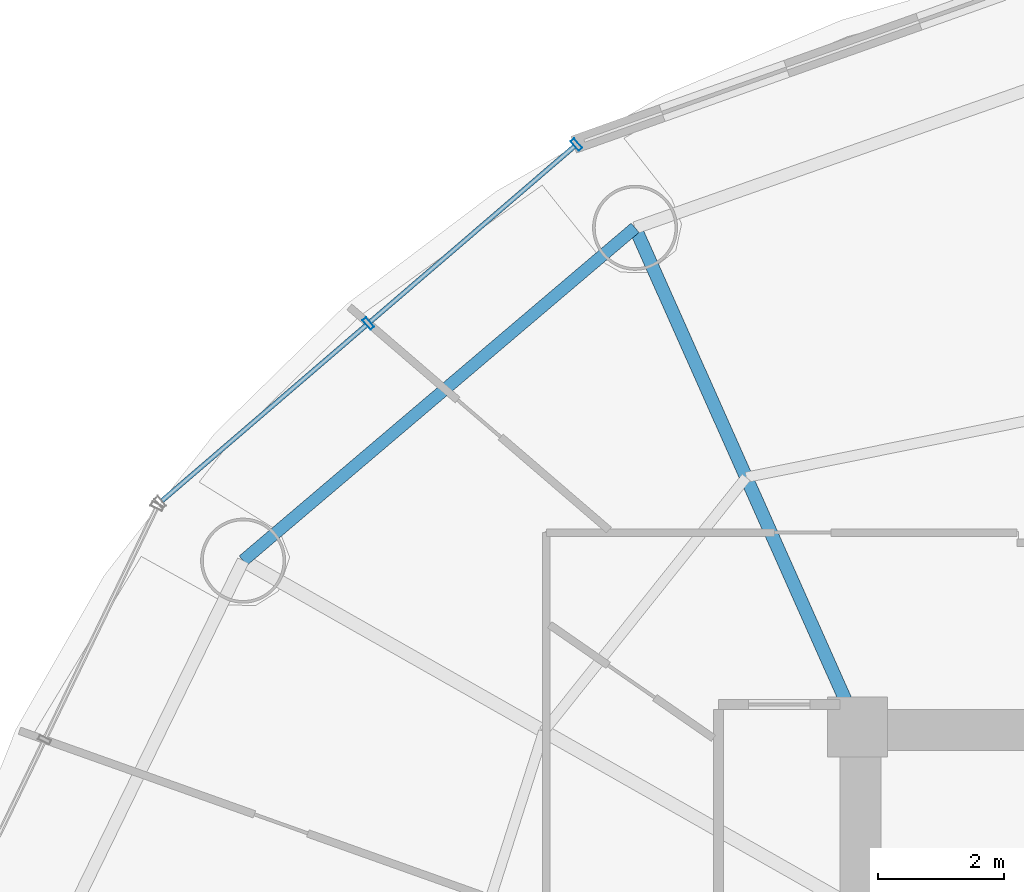
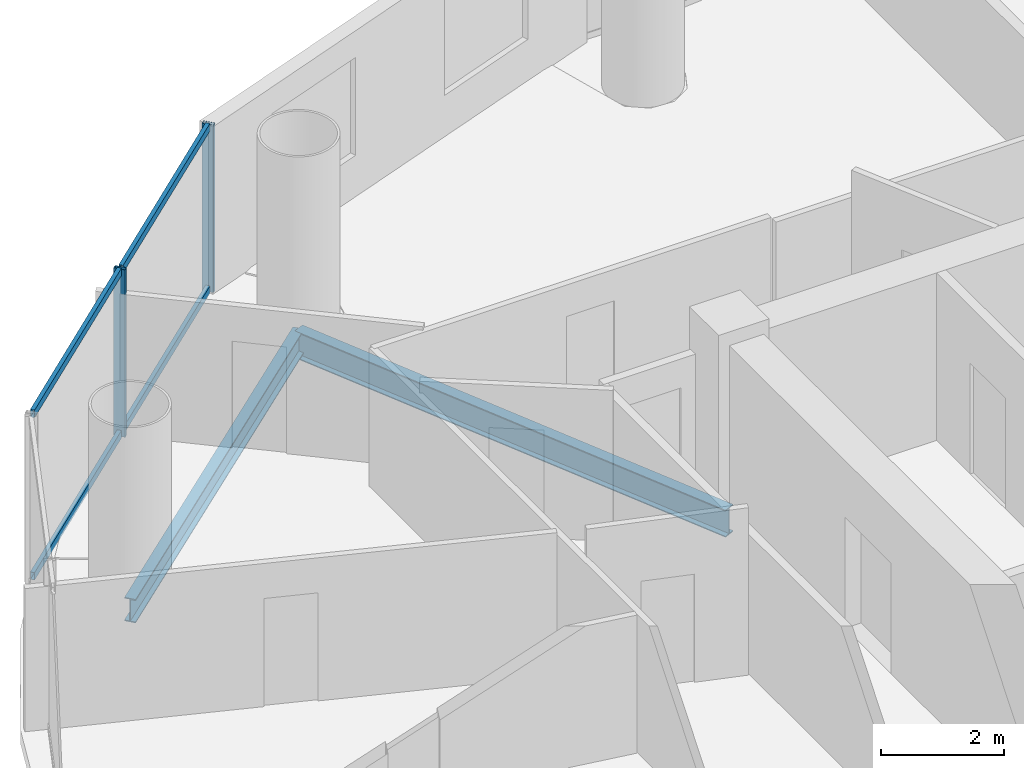
# One storey, part 14 of 26: 6 members, 2 beams, 1 element without a shape of its own.
"""IFC4 building model written with IfcOpenShell, lengths in metres."""

import ifcopenshell
import ifcopenshell.guid

model = None  # the IFC model being written
_history = None  # IfcOwnerHistory: only IFC2X3 demands one
_inside = {}  # id of a spatial element -> (the spatial element, [elements in it])
_under = {}  # id of a project, library or spatial element -> (it, [spatial elements below it])
_declared = {}  # id of a project -> (the project, [libraries it declares])
_typed = {}  # id of a type object -> (the type object, [elements of that type])
_made_of = {}  # id of a material, layer set ... -> (it, [elements and type objects made of it])


def new_model(schema):
    """Start an empty IFC model of exactly this schema.

    Asked for "IFC4X3", IfcOpenShell would pick the latest addendum, in which some entities
    have other attributes; the version numbers below select the first issue.
    IFC2X3 requires an IfcOwnerHistory on every rooted entity: one is made here for all.
    """
    global model, _history
    if schema == "IFC4X3":
        model = ifcopenshell.file(schema_version=(4, 3, 0, 0))
    else:
        model = ifcopenshell.file(schema=schema)
    _inside.clear()
    _under.clear()
    _declared.clear()
    _typed.clear()
    _made_of.clear()
    _history = None
    if model.schema == "IFC2X3":
        org = make("IfcOrganization", Name="unknown")
        user = make(
            "IfcPersonAndOrganization",
            ThePerson=make("IfcPerson", FamilyName="unknown"),
            TheOrganization=org,
        )
        app = make(
            "IfcApplication",
            ApplicationDeveloper=org,
            Version="unknown",
            ApplicationFullName="unknown",
            ApplicationIdentifier="unknown",
        )
        _history = make(
            "IfcOwnerHistory",
            OwningUser=user,
            OwningApplication=app,
            ChangeAction="ADDED",
            CreationDate=0,
        )
    return model


def make(cls, **values):
    """One entity of the class cls with the attributes given. An attribute that is None is left unset."""
    return model.create_entity(
        cls, **{name: value for name, value in values.items() if value is not None}
    )


def rooted(cls, **values):
    """An entity with a GlobalId (a new one), such as an element, a storey or a relation."""
    return make(cls, GlobalId=ifcopenshell.guid.new(), OwnerHistory=_history, **values)


def si_unit(unit_type, name, prefix=None):
    """IfcSIUnit, for example si_unit("LENGTHUNIT", "METRE", prefix="MILLI")."""
    return make("IfcSIUnit", UnitType=unit_type, Prefix=prefix, Name=name)


def assignment(units):
    """IfcUnitAssignment: the units of a project."""
    return None if units is None else make("IfcUnitAssignment", Units=units)


def point(xyz):
    """IfcCartesianPoint."""
    return None if xyz is None else make("IfcCartesianPoint", Coordinates=xyz)


def direction(xyz):
    """IfcDirection."""
    return None if xyz is None else make("IfcDirection", DirectionRatios=xyz)


def frame(location, z_axis=None, x_axis=None):
    """IfcAxis2Placement3D, a coordinate frame: its origin and axes. An axis left out is left unset."""
    return make(
        "IfcAxis2Placement3D",
        Location=point(location),
        Axis=direction(z_axis),
        RefDirection=direction(x_axis),
    )


def frame_2d(location, x_axis=None):
    """IfcAxis2Placement2D, a coordinate frame in the plane: its origin and x axis."""
    return make(
        "IfcAxis2Placement2D", Location=point(location), RefDirection=direction(x_axis)
    )


def origin():
    """The frame at (0, 0, 0) with its axes left unset."""
    return frame((0.0, 0.0, 0.0))


def origin_2d():
    """The frame at (0, 0) in the plane with its x axis left unset."""
    return frame_2d((0.0, 0.0))


def place(relative_to, where):
    """IfcLocalPlacement: puts the frame where relative to a parent placement (None: the world)."""
    return make(
        "IfcLocalPlacement", PlacementRelTo=relative_to, RelativePlacement=where
    )


def context(
    kind, dimensions, precision=None, world=None, true_north=None, identifier=None
):
    """IfcGeometricRepresentationContext, for example the 3D "Model" context."""
    return make(
        "IfcGeometricRepresentationContext",
        ContextIdentifier=identifier,
        ContextType=kind,
        CoordinateSpaceDimension=dimensions,
        Precision=precision,
        WorldCoordinateSystem=world,
        TrueNorth=true_north,
    )


def subcontext(parent, identifier, kind, view, scale=None):
    """IfcGeometricRepresentationSubContext, for example "Body" below "Model"."""
    return make(
        "IfcGeometricRepresentationSubContext",
        ContextIdentifier=identifier,
        ContextType=kind,
        ParentContext=parent,
        TargetScale=scale,
        TargetView=view,
    )


def project(units=None, contexts=None):
    """IfcProject with its units and contexts."""
    return rooted(
        "IfcProject",
        Name="project",
        RepresentationContexts=contexts,
        UnitsInContext=assignment(units),
    )


def spatial(cls, under=None, at=None, **own):
    """A site, building, storey or space (cls), placed at a placement, below another one or the project."""
    s = rooted(cls, ObjectPlacement=at, **own)
    if under is not None:
        _under.setdefault(under.id(), (under, []))[1].append(s)
    return s


def profile(cls, at=None, kind="AREA", **sizes):
    """A parametric profile (cls). Its sizes go by their IFC names, for example OverallWidth=200.0."""
    return make(cls, ProfileType=kind, Position=at, **sizes)


def hollow_rectangle(**sizes):
    """IfcRectangleHollowProfileDef."""
    return profile("IfcRectangleHollowProfileDef", **sizes)


def i_section(**sizes):
    """IfcIShapeProfileDef."""
    return profile("IfcIShapeProfileDef", **sizes)


def extrude(swept, where, along, depth):
    """IfcExtrudedAreaSolid: the profile swept, set in the frame where, extruded along a direction by depth."""
    return make(
        "IfcExtrudedAreaSolid",
        SweptArea=swept,
        Position=where,
        ExtrudedDirection=direction(along),
        Depth=depth,
    )


def shape(context_of_items, identifier, shape_type, items):
    """IfcShapeRepresentation: the items that make up one representation, for example the "Body"."""
    return make(
        "IfcShapeRepresentation",
        ContextOfItems=context_of_items,
        RepresentationIdentifier=identifier,
        RepresentationType=shape_type,
        Items=items,
    )


def source(mapping_origin, context_of_items, identifier, shape_type, items):
    """IfcRepresentationMap: a shape defined once, which mapped items show again and again."""
    return make(
        "IfcRepresentationMap",
        MappingOrigin=mapping_origin,
        MappedRepresentation=shape(context_of_items, identifier, shape_type, items),
    )


def transform(
    local_origin,
    x_axis=None,
    y_axis=None,
    z_axis=None,
    scale=None,
    scale2=None,
    scale3=None,
    uniform=True,
):
    """IfcCartesianTransformationOperator3D, or its non-uniform kind. x_axis, y_axis, z_axis: its Axis1, 2, 3."""
    if uniform:
        return make(
            "IfcCartesianTransformationOperator3D",
            Axis1=direction(x_axis),
            Axis2=direction(y_axis),
            LocalOrigin=point(local_origin),
            Scale=scale,
            Axis3=direction(z_axis),
        )
    return make(
        "IfcCartesianTransformationOperator3DnonUniform",
        Axis1=direction(x_axis),
        Axis2=direction(y_axis),
        LocalOrigin=point(local_origin),
        Scale=scale,
        Axis3=direction(z_axis),
        Scale2=scale2,
        Scale3=scale3,
    )


def mapped(mapping_source, mapping_target):
    """IfcMappedItem: shows the shape of a source again, moved by a transform."""
    return make(
        "IfcMappedItem", MappingSource=mapping_source, MappingTarget=mapping_target
    )


def material(Name=None, Category=None):
    """IfcMaterial."""
    return make("IfcMaterial", Name=Name, Category=Category)


def material_profile(
    of_material, cross_section, Name=None, Category=None, Priority=None
):
    """IfcMaterialProfile: a cross section and its material."""
    return make(
        "IfcMaterialProfile",
        Name=Name,
        Material=of_material,
        Profile=cross_section,
        Priority=Priority,
        Category=Category,
    )


def profile_set(profiles, Name=None, composite=None):
    """IfcMaterialProfileSet."""
    return make(
        "IfcMaterialProfileSet",
        Name=Name,
        MaterialProfiles=profiles,
        CompositeProfile=composite,
    )


def made_of(thing, what):
    """Note that an element or type object is made of a material, layer set ...; save() writes the relation."""
    if what is not None:
        _made_of.setdefault(what.id(), (what, []))[1].append(thing)
    return thing


def type_object(cls, material=None, **own):
    """A type object (cls), such as IfcWallType, which elements share."""
    return made_of(rooted(cls, **own), material)


def element(
    cls,
    number,
    at=None,
    inside=None,
    cuts=None,
    type_object=None,
    material=None,
    context=None,
    identifier="Body",
    shape_type=None,
    held_by="IfcProductDefinitionShape",
    body=None,
    shapes=None,
    **own,
):
    """One element of the class cls, such as IfcWall. Its Tag is "e" and its number.

    at: its placement. inside: the storey or other place that contains it. cuts: it is an
    opening in that element (IfcRelVoidsElement). A single representation is given by context,
    identifier, shape_type and body (its items); several are given by shapes. held_by: the class
    of the entity that holds the representations. save() writes the other relations.
    """
    e = rooted(cls, Tag="e%d" % number, ObjectPlacement=at, **own)
    if body is not None:
        shapes = [shape(context, identifier, shape_type, body)]
    if shapes is not None:
        e.Representation = make(held_by, Representations=shapes)
    if inside is not None:
        _inside.setdefault(inside.id(), (inside, []))[1].append(e)
    if cuts is not None:
        rooted(
            "IfcRelVoidsElement", RelatingBuildingElement=cuts, RelatedOpeningElement=e
        )
    if type_object is not None:
        _typed.setdefault(type_object.id(), (type_object, []))[1].append(e)
    return made_of(e, material)


def aggregate(whole, parts):
    """IfcRelAggregates: a whole, such as a stair, and the parts it consists of."""
    return rooted("IfcRelAggregates", RelatingObject=whole, RelatedObjects=parts)


def save(model, path):
    """Write the relations noted so far, then the file.

    IfcRelAggregates (storeys below a building ...), IfcRelContainedInSpatialStructure (elements
    in a storey), IfcRelDefinesByType, IfcRelAssociatesMaterial and IfcRelDeclares: one each for
    every whole, place, type object, material and project.
    """
    for whole, parts in _under.values():
        aggregate(whole, parts)
    for where, things in _inside.values():
        rooted(
            "IfcRelContainedInSpatialStructure",
            RelatedElements=things,
            RelatingStructure=where,
        )
    for kind, things in _typed.values():
        rooted("IfcRelDefinesByType", RelatedObjects=things, RelatingType=kind)
    for what, things in _made_of.values():
        rooted("IfcRelAssociatesMaterial", RelatedObjects=things, RelatingMaterial=what)
    for by, libraries in _declared.values():
        rooted("IfcRelDeclares", RelatingContext=by, RelatedDefinitions=libraries)
    model.write(path)


model = new_model("IFC4")

# Units and contexts
model_context = context("Model", 3, precision=1e-05, world=origin(), true_north=direction((-0.2419218956, 0.970295726276)))
body_context = subcontext(model_context, "Body", "Model", "MODEL_VIEW")
ifc_project = project(units=[si_unit("LENGTHUNIT", "METRE"), si_unit("AREAUNIT", "SQUARE_METRE"), si_unit("VOLUMEUNIT", "CUBIC_METRE"), si_unit("PLANEANGLEUNIT", "RADIAN"), si_unit("MASSUNIT", "GRAM", prefix="KILO")], contexts=[model_context])

# Site, building, storey
site_placement = place(None, origin())
site = spatial("IfcSite", under=ifc_project, at=site_placement, CompositionType="ELEMENT")
building_placement = place(site_placement, origin())
building = spatial("IfcBuilding", under=site, at=building_placement, Name="Cobrevalo Terracotta Tower", CompositionType="ELEMENT")
storey_placement = place(building_placement, frame((0.0, 0.0, 135.39990234375)))
storey = spatial("IfcBuildingStorey", under=building, at=storey_placement, Name="L35", CompositionType="ELEMENT", Elevation=135.39990234375)

# Beams
ifc_material_1 = material(Name="Steel S355", Category="steel")
ifc_material_profile_1 = material_profile(ifc_material_1, i_section(OverallWidth=0.2109375, OverallDepth=0.5390625, WebThickness=0.01171875, FlangeThickness=0.018798828125, at=origin_2d()), Name="W 530x109")
ifc_profile_set_1 = profile_set([ifc_material_profile_1], Name="Steel S355")
beam_type_1 = type_object("IfcBeamType", Name="Structural Beam W 530x109 (Steel S355)", PredefinedType="BEAM", material=ifc_profile_set_1)
beam_1_placement = place(storey_placement, frame((25.471923828125, 42.72265625, -0.539306640625), z_axis=(0.406804395691, -0.913515289224, 0.0), x_axis=(0.913515289224, 0.406804395691, 0.0)))
element("IfcBeam", 1, at=beam_1_placement, inside=storey, type_object=beam_type_1, Name="L35 radial floor girder 06", PredefinedType="BEAM", context=body_context, shape_type="SweptSolid", body=[
    extrude(i_section(OverallWidth=0.2109375, OverallDepth=0.5390625, WebThickness=0.01171875, FlangeThickness=0.018798828125, at=origin_2d()), origin(), (0.0, 0.0, 1.0), 8.672607421875),
])
ifc_material_profile_2 = material_profile(ifc_material_1, i_section(OverallWidth=0.194091796875, OverallDepth=0.468994140625, WebThickness=0.011474609375, FlangeThickness=0.0205078125, at=origin_2d()), Name="W 460x106")
ifc_profile_set_2 = profile_set([ifc_material_profile_2], Name="Steel S355")
beam_type_2 = type_object("IfcBeamType", Name="Structural Spandrel W 460x106 (Steel S355)", PredefinedType="SPANDREL", material=ifc_profile_set_2)
beam_2_placement = place(storey_placement, frame((25.471923828125, 42.72265625, -0.50439453125), z_axis=(-0.762240337798, -0.647294112003, 0.0), x_axis=(0.647294112003, -0.762240337798, 0.0)))
element("IfcBeam", 2, at=beam_2_placement, inside=storey, type_object=beam_type_2, Name="L35 perimeter ring spandrel 06", PredefinedType="SPANDREL", context=body_context, shape_type="SweptSolid", body=[
    extrude(i_section(OverallWidth=0.194091796875, OverallDepth=0.468994140625, WebThickness=0.011474609375, FlangeThickness=0.0205078125, at=origin_2d()), origin(), (0.0, 0.0, 1.0), 8.162353515625),
])

# Curtain wall, members
ifc_material_2 = material(Name="Anodized aluminium", Category="aluminium")
curtain_wall_type = type_object("IfcCurtainWallType", Name="Mid-tower high-wind unitised curtain wall CW-U2", PredefinedType="NOTDEFINED", material=ifc_material_2)
curtain_wall_placement = place(storey_placement, origin())
curtain_wall = element("IfcCurtainWall", 3, at=curtain_wall_placement, inside=storey, type_object=curtain_wall_type, Name="L35 curtain wall CW-L35-S06", PredefinedType="NOTDEFINED")
ifc_material_profile_3 = material_profile(ifc_material_2, hollow_rectangle(XDim=0.074951171875, YDim=0.199951171875, WallThickness=0.0048828125, at=origin_2d()), Name="CWM 75x200")
ifc_profile_set_3 = profile_set([ifc_material_profile_3], Name="Anodized aluminium")
member_type_1 = type_object("IfcMemberType", Name="Lower/mid tower unitised mullion 75x200", PredefinedType="MULLION", material=ifc_profile_set_3)
shared_shape_1 = source(origin(), body_context, "Body", "SweptSolid", [
    extrude(hollow_rectangle(XDim=0.074951171875, YDim=0.199951171875, WallThickness=0.0048828125, at=origin_2d()), origin(), (0.0, 0.0, 1.0), 3.330078125),
])
member_1_placement = place(storey_placement, frame((24.54150390625, 44.04345703125, 0.0), z_axis=(0.0, 0.0, 1.0), x_axis=(-0.758441546142, -0.65174106905, 0.0)))
member_1 = element("IfcMember", 4, at=member_1_placement, type_object=member_type_1, Name="CW-L35-S06 vertical mullion 01", PredefinedType="MULLION", context=body_context, shape_type="MappedRepresentation", body=[
    mapped(shared_shape_1, transform((0.0, 0.0, 0.0), scale=1.0)),
])
member_2_placement = place(storey_placement, frame((21.237548828125, 41.204345703125, 0.0), z_axis=(0.0, 0.0, 1.0), x_axis=(-0.758441546142, -0.65174106905, 0.0)))
member_2 = element("IfcMember", 5, at=member_2_placement, type_object=member_type_1, Name="CW-L35-S06 vertical mullion 02", PredefinedType="MULLION", context=body_context, shape_type="MappedRepresentation", body=[
    mapped(shared_shape_1, transform((0.0, 0.0, 0.0), scale=1.0)),
])
ifc_material_profile_4 = material_profile(ifc_material_2, hollow_rectangle(XDim=0.074951171875, YDim=0.14990234375, WallThickness=0.00439453125, at=origin_2d()), Name="CWT 75x150")
ifc_profile_set_4 = profile_set([ifc_material_profile_4], Name="Anodized aluminium")
member_type_2 = type_object("IfcMemberType", Name="Tower unitised aluminium transom 75x150", PredefinedType="USERDEFINED", material=ifc_profile_set_4)
shared_shape_2 = source(origin(), body_context, "Body", "SweptSolid", [
    extrude(hollow_rectangle(XDim=0.074951171875, YDim=0.14990234375, WallThickness=0.00439453125, at=origin_2d()), origin(), (0.0, 0.0, 1.0), 4.276123046875),
])
member_3_placement = place(storey_placement, frame((24.51123046875, 44.017578125, 0.050048828125), z_axis=(-0.758417719247, -0.651768795764, 0.0), x_axis=(0.651768795764, -0.758417719247, 0.0)))
member_3 = element("IfcMember", 6, at=member_3_placement, type_object=member_type_2, Name="CW-L35-S06 transom B01-T1", ObjectType="TRANSOM", PredefinedType="USERDEFINED", context=body_context, shape_type="MappedRepresentation", body=[
    mapped(shared_shape_2, transform((0.0, 0.0, 0.0), scale=1.0)),
])
member_4_placement = place(storey_placement, frame((24.51123046875, 44.017578125, 3.280029296875), z_axis=(-0.758417719247, -0.651768795764, 0.0), x_axis=(0.651768795764, -0.758417719247, 0.0)))
member_4 = element("IfcMember", 7, at=member_4_placement, type_object=member_type_2, Name="CW-L35-S06 transom B01-T2", ObjectType="TRANSOM", PredefinedType="USERDEFINED", context=body_context, shape_type="MappedRepresentation", body=[
    mapped(shared_shape_2, transform((0.0, 0.0, 0.0), scale=1.0)),
])
member_5_placement = place(storey_placement, frame((21.207275390625, 41.17822265625, 0.050048828125), z_axis=(-0.758445941187, -0.65173595443, 0.0), x_axis=(0.65173595443, -0.758445941187, 0.0)))
member_5 = element("IfcMember", 8, at=member_5_placement, type_object=member_type_2, Name="CW-L35-S06 transom B02-T1", ObjectType="TRANSOM", PredefinedType="USERDEFINED", context=body_context, shape_type="MappedRepresentation", body=[
    mapped(shared_shape_2, transform((0.0, 0.0, 0.0), scale=1.0)),
])
member_6_placement = place(storey_placement, frame((21.207275390625, 41.17822265625, 3.280029296875), z_axis=(-0.758445941187, -0.65173595443, 0.0), x_axis=(0.65173595443, -0.758445941187, 0.0)))
member_6 = element("IfcMember", 9, at=member_6_placement, type_object=member_type_2, Name="CW-L35-S06 transom B02-T2", ObjectType="TRANSOM", PredefinedType="USERDEFINED", context=body_context, shape_type="MappedRepresentation", body=[
    mapped(shared_shape_2, transform((0.0, 0.0, 0.0), scale=1.0)),
])
aggregate(curtain_wall, [member_1, member_2, member_3, member_4, member_5, member_6])

save(model, "model.ifc")
